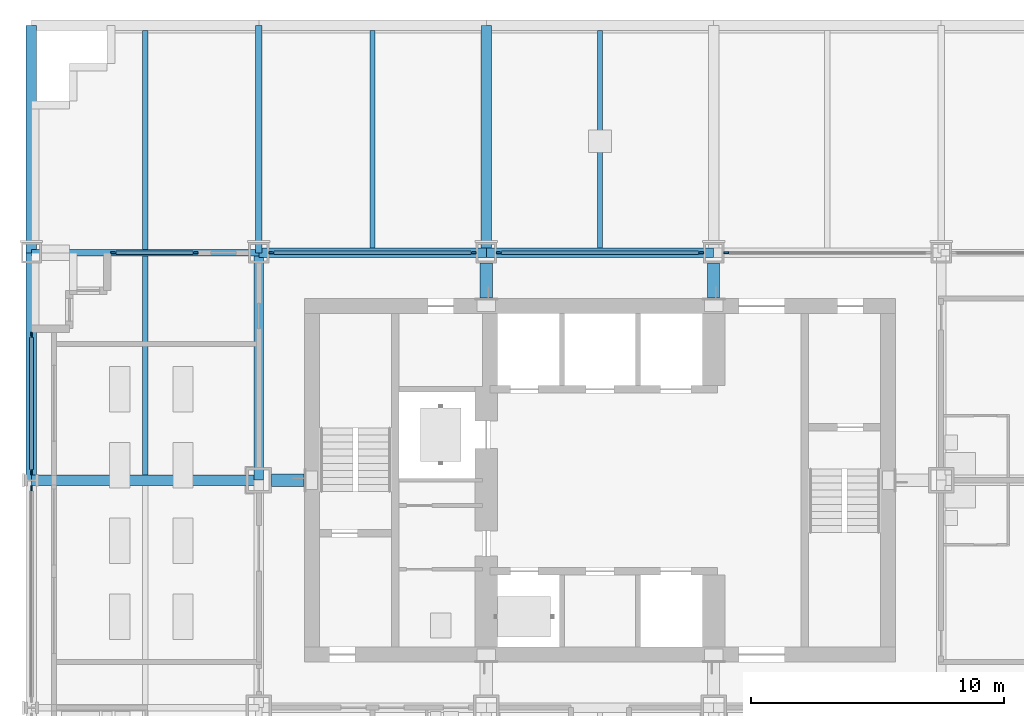
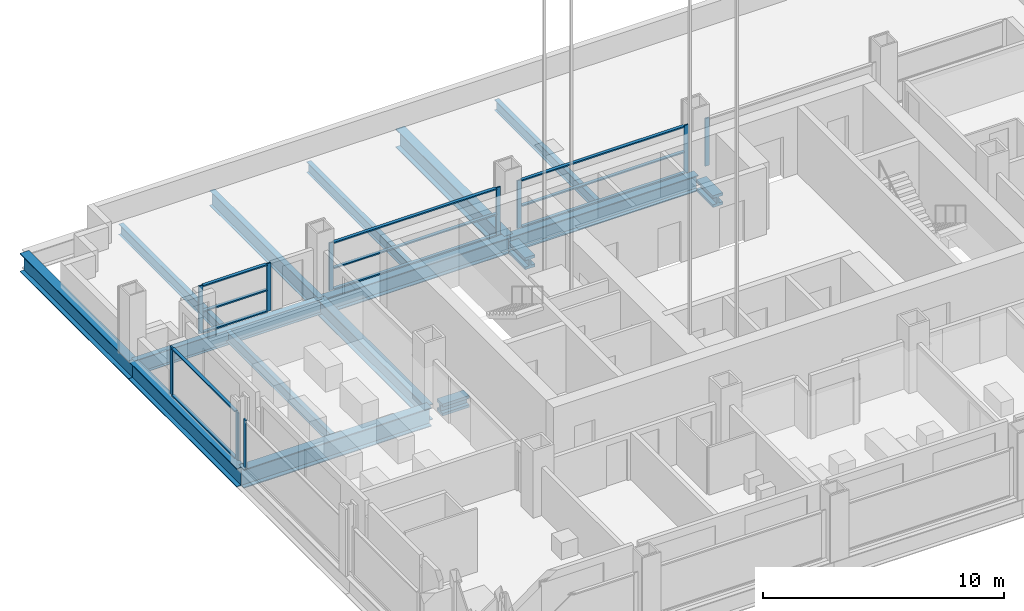
# One storey, part 4 of 15: 24 members, 13 beams, 6 elements without a shape of their own.
"""IFC4 building model written with IfcOpenShell, lengths in metres."""

from ifc_helpers import new_model, si_unit, direction, frame, origin, origin_2d, place, context, subcontext, project, spatial, rectangle, i_section, extrude, material, material_profile, profile_set, type_object, element, aggregate, save


model = new_model("IFC4")

# Units and contexts
model_context = context("Model", 3, precision=1e-05, world=origin(), true_north=direction((0.0, 1.0)))
body_context = subcontext(model_context, "Body", "Model", "MODEL_VIEW")
ifc_project = project(units=[si_unit("LENGTHUNIT", "METRE"), si_unit("AREAUNIT", "SQUARE_METRE"), si_unit("VOLUMEUNIT", "CUBIC_METRE"), si_unit("PLANEANGLEUNIT", "RADIAN"), si_unit("MASSUNIT", "GRAM", prefix="KILO")], contexts=[model_context])

# Site, building, storey
site_placement = place(None, origin())
site = spatial("IfcSite", under=ifc_project, at=site_placement, CompositionType="ELEMENT")
building_placement = place(site_placement, origin())
building = spatial("IfcBuilding", under=site, at=building_placement, Name="Loomwork Tower", CompositionType="ELEMENT")
storey_placement = place(building_placement, frame((0.0, 0.0, 160.39990234375)))
storey = spatial("IfcBuildingStorey", under=building, at=storey_placement, Name="L43", CompositionType="ELEMENT", Elevation=160.39990234375)

# Beams
ifc_material_1 = material(Name="Steel ASTM A992", Category="steel")
ifc_material_profile_1 = material_profile(ifc_material_1, i_section(OverallWidth=0.424072265625, OverallDepth=0.947509765625, WebThickness=0.02392578125, FlangeThickness=0.042724609375, at=origin_2d()), Name="W36x302")
ifc_profile_set_1 = profile_set([ifc_material_profile_1], Name="Steel ASTM A992")
beam_type_1 = type_object("IfcBeamType", Name="BELT CHORD SPANDREL W36x302", PredefinedType="SPANDREL", material=ifc_profile_set_1)
for number, where, z_axis, x_axis, name in (
    (1, (0.0, 18.0, -0.673583984375), (0.0, 1.0, 0.0), (-1.0, 0.0, 0.0), "Belt Chord Spandrel F/2-G/2 L43"),
    (2, (0.0, 27.0, -0.673583984375), (0.0, 1.0, 0.0), (-1.0, 0.0, 0.0), "Belt Chord Spandrel G/2-H/2 L43"),
):
    element("IfcBeam", number, at=place(storey_placement, frame(where, z_axis=z_axis, x_axis=x_axis)), inside=storey, type_object=beam_type_1, Name=name, PredefinedType="SPANDREL", context=body_context, shape_type="SweptSolid", body=[
        extrude(i_section(OverallWidth=0.424072265625, OverallDepth=0.947509765625, WebThickness=0.02392578125, FlangeThickness=0.042724609375, at=origin_2d()), origin(), (0.0, 0.0, 1.0), 9.0),
    ])
ifc_material_2 = material(Name="Steel ASTM A992", Category="steel")
ifc_material_profile_2 = material_profile(ifc_material_2, i_section(OverallWidth=0.383544921875, OverallDepth=0.794921875, WebThickness=0.02099609375, FlangeThickness=0.0380859375, at=origin_2d()), Name="W30x235")
ifc_profile_set_2 = profile_set([ifc_material_profile_2], Name="Steel ASTM A992")
beam_type_2 = type_object("IfcBeamType", Name="CORE FLANK GIRDER W30x235", PredefinedType="BEAM", material=ifc_profile_set_2)
for number, where, z_axis, x_axis, name in (
    (3, (9.0, 27.0, -0.597412109375), (1.0, 0.0, 0.0), (0.0, 1.0, 0.0), "Core Flank Girder G/3-G/4 L43"),
    (4, (18.0, 27.0, -0.597412109375), (1.0, 0.0, 0.0), (0.0, 1.0, 0.0), "Core Flank Girder G/4-G/5 L43"),
    (5, (9.0, 18.0, -0.597412109375), (0.0, 1.0, 0.0), (-1.0, 0.0, 0.0), "Core Flank Girder F/3-G/3 L43"),
):
    element("IfcBeam", number, at=place(storey_placement, frame(where, z_axis=z_axis, x_axis=x_axis)), inside=storey, type_object=beam_type_2, Name=name, PredefinedType="BEAM", context=body_context, shape_type="SweptSolid", body=[
        extrude(i_section(OverallWidth=0.383544921875, OverallDepth=0.794921875, WebThickness=0.02099609375, FlangeThickness=0.0380859375, at=origin_2d()), origin(), (0.0, 0.0, 1.0), 9.0),
    ])
ifc_material_3 = material(Name="Steel ASTM A992", Category="steel")
ifc_material_profile_3 = material_profile(ifc_material_3, i_section(OverallWidth=0.2666015625, OverallDepth=0.761962890625, WebThickness=0.014404296875, FlangeThickness=0.021484375, at=origin_2d()), Name="W30x116")
ifc_profile_set_3 = profile_set([ifc_material_profile_3], Name="Steel ASTM A992")
beam_type_3 = type_object("IfcBeamType", Name="FLOOR GIRDER W30x116", PredefinedType="BEAM", material=ifc_profile_set_3)
for number, where, z_axis, x_axis, name in (
    (6, (0.0, 27.0, -0.580810546875), (1.0, 0.0, 0.0), (0.0, 1.0, 0.0), "Floor Girder G/2-G/3 L43"),
    (7, (9.0, 27.0, -0.580810546875), (0.0, 1.0, 0.0), (-1.0, 0.0, 0.0), "Floor Girder G/3-H/3 L43"),
):
    element("IfcBeam", number, at=place(storey_placement, frame(where, z_axis=z_axis, x_axis=x_axis)), inside=storey, type_object=beam_type_3, Name=name, PredefinedType="BEAM", context=body_context, shape_type="SweptSolid", body=[
        extrude(i_section(OverallWidth=0.2666015625, OverallDepth=0.761962890625, WebThickness=0.014404296875, FlangeThickness=0.021484375, at=origin_2d()), origin(), (0.0, 0.0, 1.0), 9.0),
    ])
ifc_material_4 = material(Name="Steel ASTM A992", Category="steel")
ifc_material_profile_4 = material_profile(ifc_material_4, i_section(OverallWidth=0.21240234375, OverallDepth=0.54345703125, WebThickness=0.01318359375, FlangeThickness=0.021240234375, at=origin_2d()), Name="W21x83")
ifc_profile_set_4 = profile_set([ifc_material_profile_4], Name="Steel ASTM A992")
beam_type_4 = type_object("IfcBeamType", Name="FLOOR JOIST W21x83", PredefinedType="JOIST", material=ifc_profile_set_4)
for number, where, z_axis, x_axis, name in (
    (8, (4.5, 18.2119140625, -0.4716796875), (0.0, 1.0, 0.0), (-1.0, 0.0, 0.0), "Floor Joist 4.500,18.000-4.500,27.000 L43"),
    (9, (4.5, 27.133056640625, -0.4716796875), (0.0, 1.0, 0.0), (-1.0, 0.0, 0.0), "Floor Joist 4.500,27.000-4.500,36.000 L43"),
):
    element("IfcBeam", number, at=place(storey_placement, frame(where, z_axis=z_axis, x_axis=x_axis)), inside=storey, type_object=beam_type_4, Name=name, PredefinedType="JOIST", context=body_context, shape_type="SweptSolid", body=[
        extrude(i_section(OverallWidth=0.21240234375, OverallDepth=0.54345703125, WebThickness=0.01318359375, FlangeThickness=0.021240234375, at=origin_2d()), origin(), (0.0, 0.0, 1.0), 8.655029296875),
    ])
for number, where, z_axis, x_axis, name in (
    (10, (13.5, 27.19091796875, -0.4716796875), (0.0, 1.0, 0.0), (-1.0, 0.0, 0.0), "Floor Joist 13.500,27.000-13.500,36.000 L43"),
    (11, (22.5, 27.19091796875, -0.4716796875), (0.0, 1.0, 0.0), (-1.0, 0.0, 0.0), "Floor Joist 22.500,27.000-22.500,36.000 L43"),
):
    element("IfcBeam", number, at=place(storey_placement, frame(where, z_axis=z_axis, x_axis=x_axis)), inside=storey, type_object=beam_type_4, Name=name, PredefinedType="JOIST", context=body_context, shape_type="SweptSolid", body=[
        extrude(i_section(OverallWidth=0.21240234375, OverallDepth=0.54345703125, WebThickness=0.01318359375, FlangeThickness=0.021240234375, at=origin_2d()), origin(), (0.0, 0.0, 1.0), 8.59716796875),
    ])
ifc_material_5 = material(Name="Steel ASTM A992", Category="steel")
ifc_material_profile_5 = material_profile(ifc_material_5, i_section(OverallWidth=0.424072265625, OverallDepth=0.947509765625, WebThickness=0.02392578125, FlangeThickness=0.042724609375, at=origin_2d()), Name="W36x302")
ifc_profile_set_5 = profile_set([ifc_material_profile_5], Name="Steel ASTM A992")
beam_type_5 = type_object("IfcBeamType", Name="OUTRIGGER GIRDER W36x302", PredefinedType="BEAM", material=ifc_profile_set_5)
for number, where, z_axis, x_axis, name in (
    (12, (0.0, 18.0, -0.673583984375), (1.0, 0.0, 0.0), (0.0, 1.0, 0.0), "Outrigger Girder F/2-F/3 L43"),
    (13, (18.0, 27.0, -0.673583984375), (0.0, 1.0, 0.0), (-1.0, 0.0, 0.0), "Outrigger Girder G/4-H/4 L43"),
):
    element("IfcBeam", number, at=place(storey_placement, frame(where, z_axis=z_axis, x_axis=x_axis)), inside=storey, type_object=beam_type_5, Name=name, PredefinedType="BEAM", context=body_context, shape_type="SweptSolid", body=[
        extrude(i_section(OverallWidth=0.424072265625, OverallDepth=0.947509765625, WebThickness=0.02392578125, FlangeThickness=0.042724609375, at=origin_2d()), origin(), (0.0, 0.0, 1.0), 9.0),
    ])

# Members
ifc_material_6 = material(Name="Steel ASTM A992", Category="steel")
ifc_material_profile_6 = material_profile(ifc_material_6, i_section(OverallWidth=0.4775390625, OverallDepth=0.599365234375, WebThickness=0.10009765625, FlangeThickness=0.139892578125, at=origin_2d()), Name="W14x873")
ifc_profile_set_6 = profile_set([ifc_material_profile_6], Name="Steel ASTM A992")
member_type_1 = type_object("IfcMemberType", Name="OUTRIGGER STRUT W14x873", PredefinedType="STRUT", material=ifc_profile_set_6)
for number, where, z_axis, x_axis, name in (
    (14, (27.0, 26.590087890625, -0.49951171875), (0.0, -1.0, 0.0), (1.0, 0.0, 0.0), "Outrigger strut G/5-27.000,24.900 L43"),
    (15, (18.0, 26.590087890625, -0.49951171875), (0.0, -1.0, 0.0), (1.0, 0.0, 0.0), "Outrigger strut G/4-18.000,24.900 L43"),
):
    element("IfcMember", number, at=place(storey_placement, frame(where, z_axis=z_axis, x_axis=x_axis)), inside=storey, type_object=member_type_1, Name=name, PredefinedType="STRUT", context=body_context, shape_type="SweptSolid", body=[
        extrude(i_section(OverallWidth=0.4775390625, OverallDepth=0.599365234375, WebThickness=0.10009765625, FlangeThickness=0.139892578125, at=origin_2d()), origin(), (0.0, 0.0, 1.0), 1.375),
    ])
member_1_placement = place(storey_placement, frame((9.510009765625, 18.0, -0.49951171875), z_axis=(1.0, 0.0, 0.0), x_axis=(0.0, 1.0, 0.0)))
element("IfcMember", 16, at=member_1_placement, inside=storey, type_object=member_type_1, Name="Outrigger strut F/3-11.100,18.000 L43", PredefinedType="STRUT", context=body_context, shape_type="SweptSolid", body=[
    extrude(i_section(OverallWidth=0.4775390625, OverallDepth=0.599365234375, WebThickness=0.10009765625, FlangeThickness=0.139892578125, at=origin_2d()), origin(), (0.0, 0.0, 1.0), 1.27490234375),
])

# Curtain wall, member
ifc_material_7 = material(Name="Aluminium curtain wall frame", Category="aluminium")
curtain_wall_type_1 = type_object("IfcCurtainWallType", Name="Outer skin glazing hotel", PredefinedType="NOTDEFINED", material=ifc_material_7)
curtain_wall_1_placement = place(storey_placement, origin())
curtain_wall_1 = element("IfcCurtainWall", 17, at=curtain_wall_1_placement, inside=storey, type_object=curtain_wall_type_1, Name="Outer skin glazing hotel cw/W-9", PredefinedType="NOTDEFINED")
ifc_material_8 = material(Name="Aluminium curtain wall frame", Category="aluminium")
ifc_material_profile_7 = material_profile(ifc_material_8, rectangle(XDim=0.06494140625, YDim=0.199951171875, at=origin_2d()), Name="AL 65x200")
ifc_profile_set_7 = profile_set([ifc_material_profile_7], Name="Aluminium curtain wall frame")
member_type_2 = type_object("IfcMemberType", Name="Outer skin glazing hotel mullion", PredefinedType="MULLION", material=ifc_profile_set_7)
member_2_placement = place(storey_placement, frame((0.0, 17.67529296875, 0.0), z_axis=(0.0, 0.0, 1.0), x_axis=(1.0, 0.0, 0.0)))
member_2 = element("IfcMember", 18, at=member_2_placement, type_object=member_type_2, Name="CW1 mullion 1", PredefinedType="MULLION", context=body_context, shape_type="SweptSolid", body=[
    extrude(rectangle(XDim=0.06494140625, YDim=0.199951171875, at=origin_2d()), origin(), (0.0, 0.0, 1.0), 2.42041015625),
])
aggregate(curtain_wall_1, [member_2])

# Curtain wall, members
curtain_wall_2_placement = place(storey_placement, origin())
curtain_wall_2 = element("IfcCurtainWall", 19, at=curtain_wall_2_placement, inside=storey, type_object=curtain_wall_type_1, Name="Outer skin glazing hotel cw/W-18", PredefinedType="NOTDEFINED")
member_3_placement = place(storey_placement, frame((0.0, 23.75, 0.0), z_axis=(0.0, 0.0, 1.0), x_axis=(1.0, 0.0, 0.0)))
member_3 = element("IfcMember", 20, at=member_3_placement, type_object=member_type_2, Name="CW1 mullion 1", PredefinedType="MULLION", context=body_context, shape_type="SweptSolid", body=[
    extrude(rectangle(XDim=0.06494140625, YDim=0.199951171875, at=origin_2d()), origin(), (0.0, 0.0, 1.0), 2.42041015625),
])
member_4_placement = place(storey_placement, frame((0.0, 18.32470703125, 0.0), z_axis=(0.0, 0.0, 1.0), x_axis=(1.0, 0.0, 0.0)))
member_4 = element("IfcMember", 21, at=member_4_placement, type_object=member_type_2, Name="CW1 mullion 2", PredefinedType="MULLION", context=body_context, shape_type="SweptSolid", body=[
    extrude(rectangle(XDim=0.06494140625, YDim=0.199951171875, at=origin_2d()), origin(), (0.0, 0.0, 1.0), 2.42041015625),
])
ifc_material_9 = material(Name="Aluminium curtain wall frame", Category="aluminium")
ifc_material_profile_8 = material_profile(ifc_material_9, rectangle(XDim=0.14990234375, YDim=0.06494140625, at=origin_2d()), Name="AL 65x150")
ifc_profile_set_8 = profile_set([ifc_material_profile_8], Name="Aluminium curtain wall frame")
member_type_3 = type_object("IfcMemberType", Name="Outer skin glazing hotel transom", PredefinedType="USERDEFINED", material=ifc_profile_set_8)
member_5_placement = place(storey_placement, frame((0.0, 23.64990234375, 0.03271484375), z_axis=(0.0, -1.0, 0.0), x_axis=(1.0, 0.0, 0.0)))
member_5 = element("IfcMember", 22, at=member_5_placement, type_object=member_type_3, Name="CW1 transom 1.1", ObjectType="TRANSOM", PredefinedType="USERDEFINED", context=body_context, shape_type="SweptSolid", body=[
    extrude(rectangle(XDim=0.14990234375, YDim=0.06494140625, at=origin_2d()), origin(), (0.0, 0.0, 1.0), 5.22509765625),
])
member_6_placement = place(storey_placement, frame((0.0, 23.64990234375, 2.3876953125), z_axis=(0.0, -1.0, 0.0), x_axis=(1.0, 0.0, 0.0)))
member_6 = element("IfcMember", 23, at=member_6_placement, type_object=member_type_3, Name="CW1 transom 1.2", ObjectType="TRANSOM", PredefinedType="USERDEFINED", context=body_context, shape_type="SweptSolid", body=[
    extrude(rectangle(XDim=0.14990234375, YDim=0.06494140625, at=origin_2d()), origin(), (0.0, 0.0, 1.0), 5.22509765625),
])
aggregate(curtain_wall_2, [member_3, member_4, member_5, member_6])

ifc_material_10 = material(Name="Aluminium curtain wall frame", Category="aluminium")
curtain_wall_type_2 = type_object("IfcCurtainWallType", Name="Single skin glazing corridor", PredefinedType="NOTDEFINED", material=ifc_material_10)
curtain_wall_3_placement = place(storey_placement, origin())
curtain_wall_3 = element("IfcCurtainWall", 24, at=curtain_wall_3_placement, inside=storey, type_object=curtain_wall_type_2, Name="Single skin glazing corridor cw/N-0", PredefinedType="NOTDEFINED")
ifc_material_11 = material(Name="Aluminium curtain wall frame", Category="aluminium")
ifc_material_profile_9 = material_profile(ifc_material_11, rectangle(XDim=0.06494140625, YDim=0.199951171875, at=origin_2d()), Name="AL 65x200")
ifc_profile_set_9 = profile_set([ifc_material_profile_9], Name="Aluminium curtain wall frame")
member_type_4 = type_object("IfcMemberType", Name="Single skin glazing corridor mullion", PredefinedType="MULLION", material=ifc_profile_set_9)
member_7_placement = place(storey_placement, frame((6.5, 27.0, 0.0), z_axis=(0.0, 0.0, 1.0), x_axis=(0.0, -1.0, 0.0)))
member_7 = element("IfcMember", 25, at=member_7_placement, type_object=member_type_4, Name="CW3 mullion 1", PredefinedType="MULLION", context=body_context, shape_type="SweptSolid", body=[
    extrude(rectangle(XDim=0.06494140625, YDim=0.199951171875, at=origin_2d()), origin(), (0.0, 0.0, 1.0), 2.42041015625),
])
member_8_placement = place(storey_placement, frame((3.25, 27.0, 0.0), z_axis=(0.0, 0.0, 1.0), x_axis=(0.0, -1.0, 0.0)))
member_8 = element("IfcMember", 26, at=member_8_placement, type_object=member_type_4, Name="CW3 mullion 2", PredefinedType="MULLION", context=body_context, shape_type="SweptSolid", body=[
    extrude(rectangle(XDim=0.06494140625, YDim=0.199951171875, at=origin_2d()), origin(), (0.0, 0.0, 1.0), 2.42041015625),
])

curtain_wall_4_placement = place(storey_placement, origin())
curtain_wall_4 = element("IfcCurtainWall", 27, at=curtain_wall_4_placement, inside=storey, type_object=curtain_wall_type_2, Name="Single skin glazing corridor cw/N-9", PredefinedType="NOTDEFINED")
member_9_placement = place(storey_placement, frame((17.5, 27.0, 0.0), z_axis=(0.0, 0.0, 1.0), x_axis=(0.0, -1.0, 0.0)))
member_9 = element("IfcMember", 28, at=member_9_placement, type_object=member_type_4, Name="CW3 mullion 1", PredefinedType="MULLION", context=body_context, shape_type="SweptSolid", body=[
    extrude(rectangle(XDim=0.06494140625, YDim=0.199951171875, at=origin_2d()), origin(), (0.0, 0.0, 1.0), 2.42041015625),
])
member_10_placement = place(storey_placement, frame((9.5, 27.0, 0.0), z_axis=(0.0, 0.0, 1.0), x_axis=(0.0, -1.0, 0.0)))
member_10 = element("IfcMember", 29, at=member_10_placement, type_object=member_type_4, Name="CW3 mullion 2", PredefinedType="MULLION", context=body_context, shape_type="SweptSolid", body=[
    extrude(rectangle(XDim=0.06494140625, YDim=0.199951171875, at=origin_2d()), origin(), (0.0, 0.0, 1.0), 2.42041015625),
])

curtain_wall_5_placement = place(storey_placement, origin())
curtain_wall_5 = element("IfcCurtainWall", 30, at=curtain_wall_5_placement, inside=storey, type_object=curtain_wall_type_2, Name="Single skin glazing corridor cw/N-18", PredefinedType="NOTDEFINED")
member_11_placement = place(storey_placement, frame((26.5, 27.0, 0.0), z_axis=(0.0, 0.0, 1.0), x_axis=(0.0, -1.0, 0.0)))
member_11 = element("IfcMember", 31, at=member_11_placement, type_object=member_type_4, Name="CW3 mullion 1", PredefinedType="MULLION", context=body_context, shape_type="SweptSolid", body=[
    extrude(rectangle(XDim=0.06494140625, YDim=0.199951171875, at=origin_2d()), origin(), (0.0, 0.0, 1.0), 2.42041015625),
])
member_12_placement = place(storey_placement, frame((18.5, 27.0, 0.0), z_axis=(0.0, 0.0, 1.0), x_axis=(0.0, -1.0, 0.0)))
member_12 = element("IfcMember", 32, at=member_12_placement, type_object=member_type_4, Name="CW3 mullion 2", PredefinedType="MULLION", context=body_context, shape_type="SweptSolid", body=[
    extrude(rectangle(XDim=0.06494140625, YDim=0.199951171875, at=origin_2d()), origin(), (0.0, 0.0, 1.0), 2.42041015625),
])

# Curtain wall, member
curtain_wall_6_placement = place(storey_placement, origin())
curtain_wall_6 = element("IfcCurtainWall", 33, at=curtain_wall_6_placement, inside=storey, type_object=curtain_wall_type_2, Name="Single skin glazing corridor cw/N-27", PredefinedType="NOTDEFINED")
member_13_placement = place(storey_placement, frame((27.5, 27.0, 0.0), z_axis=(0.0, 0.0, 1.0), x_axis=(0.0, -1.0, 0.0)))
member_13 = element("IfcMember", 34, at=member_13_placement, type_object=member_type_4, Name="CW3 mullion 2", PredefinedType="MULLION", context=body_context, shape_type="SweptSolid", body=[
    extrude(rectangle(XDim=0.06494140625, YDim=0.199951171875, at=origin_2d()), origin(), (0.0, 0.0, 1.0), 2.42041015625),
])
aggregate(curtain_wall_6, [member_13])

# Member
ifc_material_12 = material(Name="Aluminium curtain wall frame", Category="aluminium")
ifc_material_profile_10 = material_profile(ifc_material_12, rectangle(XDim=0.14990234375, YDim=0.06494140625, at=origin_2d()), Name="AL 65x150")
ifc_profile_set_10 = profile_set([ifc_material_profile_10], Name="Aluminium curtain wall frame")
member_type_5 = type_object("IfcMemberType", Name="Single skin glazing corridor transom", PredefinedType="USERDEFINED", material=ifc_profile_set_10)
member_14_placement = place(storey_placement, frame((6.39990234375, 27.0, 0.03271484375), z_axis=(-1.0, 0.0, 0.0), x_axis=(0.0, -1.0, 0.0)))
member_14 = element("IfcMember", 35, at=member_14_placement, type_object=member_type_5, Name="CW3 transom 1.1", ObjectType="TRANSOM", PredefinedType="USERDEFINED", context=body_context, shape_type="SweptSolid", body=[
    extrude(rectangle(XDim=0.14990234375, YDim=0.06494140625, at=origin_2d()), origin(), (0.0, 0.0, 1.0), 3.0498046875),
])

member_15_placement = place(storey_placement, frame((6.39990234375, 27.0, 1.10009765625), z_axis=(-1.0, 0.0, 0.0), x_axis=(0.0, -1.0, 0.0)))
member_15 = element("IfcMember", 36, at=member_15_placement, type_object=member_type_5, Name="CW3 transom 1.2", ObjectType="TRANSOM", PredefinedType="USERDEFINED", context=body_context, shape_type="SweptSolid", body=[
    extrude(rectangle(XDim=0.14990234375, YDim=0.06494140625, at=origin_2d()), origin(), (0.0, 0.0, 1.0), 3.0498046875),
])

member_16_placement = place(storey_placement, frame((6.39990234375, 27.0, 2.3876953125), z_axis=(-1.0, 0.0, 0.0), x_axis=(0.0, -1.0, 0.0)))
member_16 = element("IfcMember", 37, at=member_16_placement, type_object=member_type_5, Name="CW3 transom 1.3", ObjectType="TRANSOM", PredefinedType="USERDEFINED", context=body_context, shape_type="SweptSolid", body=[
    extrude(rectangle(XDim=0.14990234375, YDim=0.06494140625, at=origin_2d()), origin(), (0.0, 0.0, 1.0), 3.0498046875),
])

aggregate(curtain_wall_3, [member_7, member_8, member_14, member_15, member_16])

member_17_placement = place(storey_placement, frame((17.39990234375, 27.0, 0.03271484375), z_axis=(-1.0, 0.0, 0.0), x_axis=(0.0, -1.0, 0.0)))
member_17 = element("IfcMember", 38, at=member_17_placement, type_object=member_type_5, Name="CW3 transom 1.1", ObjectType="TRANSOM", PredefinedType="USERDEFINED", context=body_context, shape_type="SweptSolid", body=[
    extrude(rectangle(XDim=0.14990234375, YDim=0.06494140625, at=origin_2d()), origin(), (0.0, 0.0, 1.0), 7.7998046875),
])

member_18_placement = place(storey_placement, frame((17.39990234375, 27.0, 1.10009765625), z_axis=(-1.0, 0.0, 0.0), x_axis=(0.0, -1.0, 0.0)))
member_18 = element("IfcMember", 39, at=member_18_placement, type_object=member_type_5, Name="CW3 transom 1.2", ObjectType="TRANSOM", PredefinedType="USERDEFINED", context=body_context, shape_type="SweptSolid", body=[
    extrude(rectangle(XDim=0.14990234375, YDim=0.06494140625, at=origin_2d()), origin(), (0.0, 0.0, 1.0), 7.7998046875),
])

member_19_placement = place(storey_placement, frame((17.39990234375, 27.0, 2.3876953125), z_axis=(-1.0, 0.0, 0.0), x_axis=(0.0, -1.0, 0.0)))
member_19 = element("IfcMember", 40, at=member_19_placement, type_object=member_type_5, Name="CW3 transom 1.3", ObjectType="TRANSOM", PredefinedType="USERDEFINED", context=body_context, shape_type="SweptSolid", body=[
    extrude(rectangle(XDim=0.14990234375, YDim=0.06494140625, at=origin_2d()), origin(), (0.0, 0.0, 1.0), 7.7998046875),
])

aggregate(curtain_wall_4, [member_9, member_10, member_17, member_18, member_19])

member_20_placement = place(storey_placement, frame((26.39990234375, 27.0, 0.03271484375), z_axis=(-1.0, 0.0, 0.0), x_axis=(0.0, -1.0, 0.0)))
member_20 = element("IfcMember", 41, at=member_20_placement, type_object=member_type_5, Name="CW3 transom 1.1", ObjectType="TRANSOM", PredefinedType="USERDEFINED", context=body_context, shape_type="SweptSolid", body=[
    extrude(rectangle(XDim=0.14990234375, YDim=0.06494140625, at=origin_2d()), origin(), (0.0, 0.0, 1.0), 7.7998046875),
])

member_21_placement = place(storey_placement, frame((26.39990234375, 27.0, 1.10009765625), z_axis=(-1.0, 0.0, 0.0), x_axis=(0.0, -1.0, 0.0)))
member_21 = element("IfcMember", 42, at=member_21_placement, type_object=member_type_5, Name="CW3 transom 1.2", ObjectType="TRANSOM", PredefinedType="USERDEFINED", context=body_context, shape_type="SweptSolid", body=[
    extrude(rectangle(XDim=0.14990234375, YDim=0.06494140625, at=origin_2d()), origin(), (0.0, 0.0, 1.0), 7.7998046875),
])

member_22_placement = place(storey_placement, frame((26.39990234375, 27.0, 2.3876953125), z_axis=(-1.0, 0.0, 0.0), x_axis=(0.0, -1.0, 0.0)))
member_22 = element("IfcMember", 43, at=member_22_placement, type_object=member_type_5, Name="CW3 transom 1.3", ObjectType="TRANSOM", PredefinedType="USERDEFINED", context=body_context, shape_type="SweptSolid", body=[
    extrude(rectangle(XDim=0.14990234375, YDim=0.06494140625, at=origin_2d()), origin(), (0.0, 0.0, 1.0), 7.7998046875),
])

aggregate(curtain_wall_5, [member_11, member_12, member_20, member_21, member_22])

save(model, "model.ifc")
